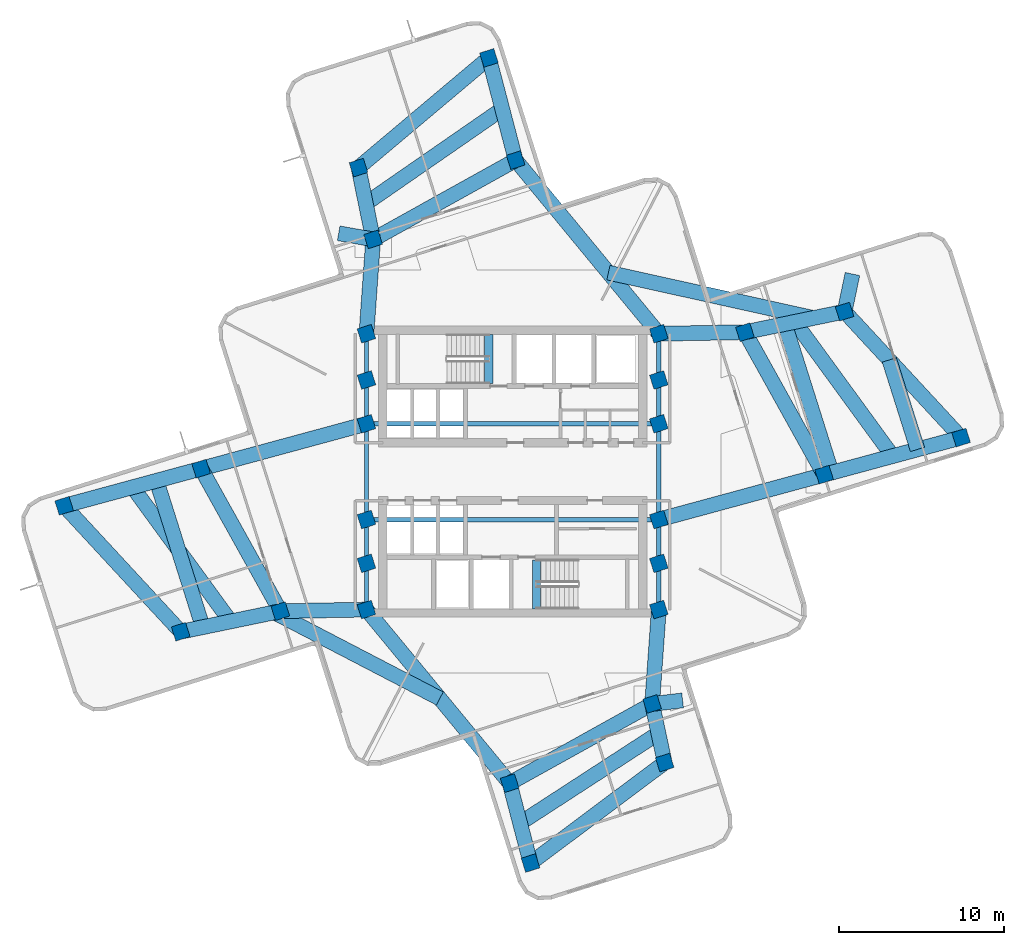
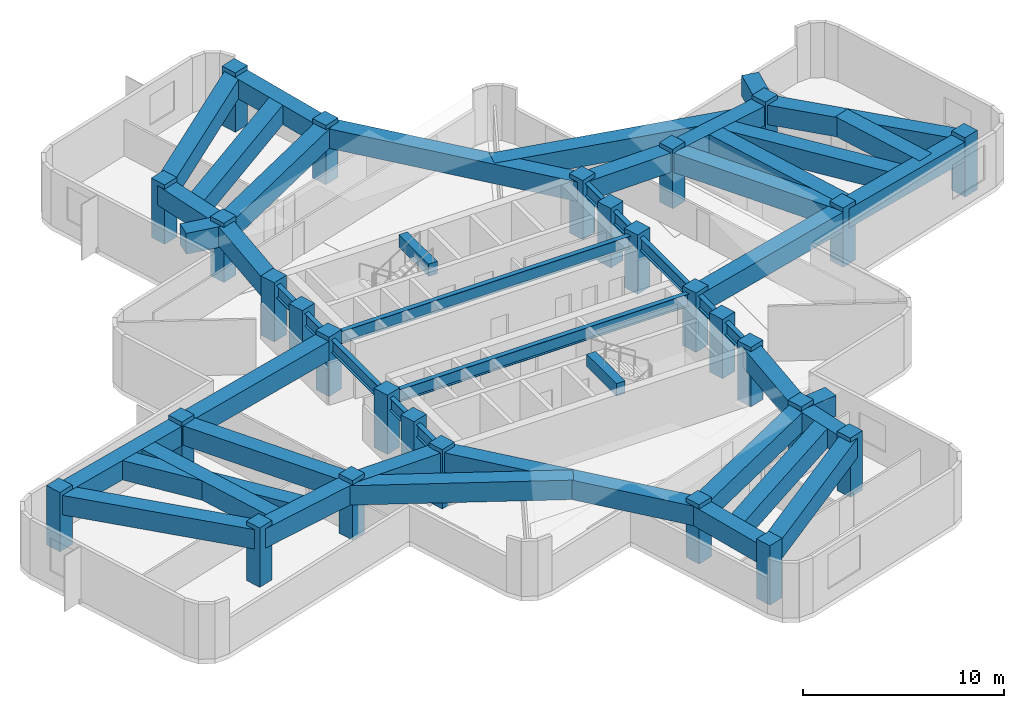
# One storey, part 1 of 8: 50 beams, 28 columns.
"""IFC4 building model written with IfcOpenShell, lengths in metres."""

from ifc_helpers import new_model, si_unit, direction, frame, origin, origin_2d, place, context, subcontext, project, spatial, rectangle, i_section, extrude, material, material_profile, profile_set, type_object, element, save


model = new_model("IFC4")

# Units and contexts
model_context = context("Model", 3, precision=1e-05, world=origin(), true_north=direction((0.0, 1.0)))
body_context = subcontext(model_context, "Body", "Model", "MODEL_VIEW")
ifc_project = project(units=[si_unit("LENGTHUNIT", "METRE"), si_unit("AREAUNIT", "SQUARE_METRE"), si_unit("VOLUMEUNIT", "CUBIC_METRE"), si_unit("PLANEANGLEUNIT", "RADIAN"), si_unit("MASSUNIT", "GRAM", prefix="KILO")], contexts=[model_context])

# Site, building, storey
site_placement = place(None, origin())
site = spatial("IfcSite", under=ifc_project, at=site_placement, CompositionType="ELEMENT")
building_placement = place(site_placement, origin())
building = spatial("IfcBuilding", under=site, at=building_placement, Name="Solmarez Civic Tower", CompositionType="ELEMENT")
storey_placement = place(building_placement, frame((0.0, 0.0, 152.280029296875)))
storey = spatial("IfcBuildingStorey", under=building, at=storey_placement, Name="L40", CompositionType="ELEMENT", Elevation=152.280029296875)

# Columns
ifc_material_1 = material(Name="Concrete C50/60", Category="concrete")
ifc_material_profile_1 = material_profile(ifc_material_1, rectangle(XDim=0.89990234375, YDim=0.89990234375, at=origin_2d()), Name="RC900X900")
ifc_profile_set_1 = profile_set([ifc_material_profile_1], Name="Concrete C50/60")
column_type = type_object("IfcColumnType", Name="COL-RC900", PredefinedType="COLUMN", material=ifc_profile_set_1)
for number, where, z_axis, x_axis, name in (
    (1, (-8.85009765625, -5.550048828125, 0.0), (0.0, 0.0, 1.0), (0.953611926521, 0.301038691196, 0.0), "L40 Structural Column HC1"),
    (2, (-8.85009765625, -2.89990234375, 0.0), (0.0, 0.0, 1.0), (0.953611926521, 0.301038691196, 0.0), "L40 Structural Column HC2"),
    (3, (-8.85009765625, 2.89990234375, 0.0), (0.0, 0.0, 1.0), (0.953611926521, 0.301038691196, 0.0), "L40 Structural Column HC3"),
    (4, (-8.85009765625, 5.550048828125, 0.0), (0.0, 0.0, 1.0), (0.953611926521, 0.301038691196, 0.0), "L40 Structural Column HC4"),
    (5, (8.85009765625, -5.550048828125, 0.0), (0.0, 0.0, 1.0), (0.953611926521, 0.301038691196, 0.0), "L40 Structural Column HC5"),
    (6, (8.85009765625, -2.89990234375, 0.0), (0.0, 0.0, 1.0), (0.953611926521, 0.301038691196, 0.0), "L40 Structural Column HC6"),
    (7, (8.85009765625, 2.89990234375, 0.0), (0.0, 0.0, 1.0), (0.953611926521, 0.301038691196, 0.0), "L40 Structural Column HC7"),
    (8, (8.85009765625, 5.550048828125, 0.0), (0.0, 0.0, 1.0), (0.953611926521, 0.301038691196, 0.0), "L40 Structural Column HC8"),
    (9, (-8.85009765625, 8.35009765625, 0.0), (0.0, 0.0, 1.0), (0.953611926521, 0.301038691196, 0.0), "L40 Structural Column HC9"),
    (10, (8.85009765625, -8.35009765625, 0.0), (0.0, 0.0, 1.0), (0.953611926521, 0.301038691196, 0.0), "L40 Structural Column HC10"),
    (11, (8.85009765625, 8.35009765625, 0.0), (0.0, 0.0, 1.0), (0.953611926521, 0.301038691196, 0.0), "L40 Structural Column HC11"),
    (12, (-8.85009765625, -8.35009765625, 0.0), (0.0, 0.0, 1.0), (0.953611926521, 0.301038691196, 0.0), "L40 Structural Column HC12"),
    (13, (18.860107421875, -0.18310546875, 0.0), (0.0, 0.0, 1.0), (0.953611926521, 0.301038691196, 0.0), "L40 Structural Column EA11"),
    (14, (14.06396484375, 8.445068359375, 0.0), (0.0, 0.0, 1.0), (0.953611926521, 0.301038691196, 0.0), "L40 Structural Column EA12"),
    (15, (27.153076171875, 2.06396484375, 0.0), (0.0, 0.0, 1.0), (0.953611926521, 0.301038691196, 0.0), "L40 Structural Column EA21"),
    (16, (20.097900390625, 9.69189453125, 0.0), (0.0, 0.0, 1.0), (0.953611926521, 0.301038691196, 0.0), "L40 Structural Column EA22"),
    (17, (0.18310546875, 18.860107421875, 0.0), (0.0, 0.0, 1.0), (0.953611926521, 0.301038691196, 0.0), "L40 Structural Column NA11"),
    (18, (-8.445068359375, 14.06396484375, 0.0), (0.0, 0.0, 1.0), (0.953611926521, 0.301038691196, 0.0), "L40 Structural Column NA12"),
    (19, (-1.43701171875, 25.052001953125, 0.0), (0.0, 0.0, 1.0), (0.953611926521, 0.301038691196, 0.0), "L40 Structural Column NA21"),
    (20, (-9.3330078125, 18.408935546875, 0.0), (0.0, 0.0, 1.0), (0.953611926521, 0.301038691196, 0.0), "L40 Structural Column NA22"),
    (21, (-18.860107421875, 0.18310546875, 0.0), (0.0, 0.0, 1.0), (0.953611926521, 0.301038691196, 0.0), "L40 Structural Column WA11"),
    (22, (-14.06396484375, -8.445068359375, 0.0), (0.0, 0.0, 1.0), (0.953611926521, 0.301038691196, 0.0), "L40 Structural Column WA12"),
    (23, (-27.153076171875, -2.06396484375, 0.0), (0.0, 0.0, 1.0), (0.953611926521, 0.301038691196, 0.0), "L40 Structural Column WA21"),
    (24, (-20.097900390625, -9.69189453125, 0.0), (0.0, 0.0, 1.0), (0.953611926521, 0.301038691196, 0.0), "L40 Structural Column WA22"),
    (25, (-0.18310546875, -18.860107421875, 0.0), (0.0, 0.0, 1.0), (0.953611926521, 0.301038691196, 0.0), "L40 Structural Column SA11"),
    (26, (8.445068359375, -14.06396484375, 0.0), (0.0, 0.0, 1.0), (0.953611926521, 0.301038691196, 0.0), "L40 Structural Column SA12"),
    (27, (1.0830078125, -23.697021484375, 0.0), (0.0, 0.0, 1.0), (0.953611926521, 0.301038691196, 0.0), "L40 Structural Column SA21"),
    (28, (9.2080078125, -17.614990234375, 0.0), (0.0, 0.0, 1.0), (0.953611926521, 0.301038691196, 0.0), "L40 Structural Column SA22"),
):
    element("IfcColumn", number, at=place(storey_placement, frame(where, z_axis=z_axis, x_axis=x_axis)), inside=storey, type_object=column_type, Name=name, PredefinedType="COLUMN", context=body_context, shape_type="SweptSolid", body=[
        extrude(rectangle(XDim=0.89990234375, YDim=0.89990234375, at=origin_2d()), origin(), (0.0, 0.0, 1.0), 3.599853515625),
    ])

# Beams
ifc_material_profile_2 = material_profile(ifc_material_1, rectangle(XDim=0.5, YDim=0.75, at=origin_2d()), Name="RC500X750")
ifc_profile_set_2 = profile_set([ifc_material_profile_2], Name="Concrete C50/60")
beam_type_1 = type_object("IfcBeamType", Name="BM-PR-RC500X750", PredefinedType="BEAM", material=ifc_profile_set_2)
for number, where, z_axis, x_axis, name in (
    (29, (-1.449951171875, 5.340087890625, 3.23291015625), (0.0, 1.0, 0.0), (-1.0, 0.0, 0.0), "L40 North Stair Threshold Beam"),
    (30, (1.449951171875, -8.300048828125, 3.23291015625), (0.0, 1.0, 0.0), (-1.0, 0.0, 0.0), "L40 South Stair Threshold Beam"),
):
    element("IfcBeam", number, at=place(storey_placement, frame(where, z_axis=z_axis, x_axis=x_axis)), inside=storey, type_object=beam_type_1, Name=name, PredefinedType="BEAM", context=body_context, shape_type="SweptSolid", body=[
        extrude(rectangle(XDim=0.5, YDim=0.75, at=origin_2d()), origin(), (0.0, 0.0, 1.0), 2.9599609375),
    ])
ifc_material_2 = material(Name="Steel S355", Category="steel")
ifc_material_profile_3 = material_profile(ifc_material_2, i_section(OverallWidth=0.26708984375, OverallDepth=0.761962890625, WebThickness=0.014404296875, FlangeThickness=0.021484375, at=origin_2d()), Name="W30X116")
ifc_profile_set_3 = profile_set([ifc_material_profile_3], Name="Steel S355")
beam_type_2 = type_object("IfcBeamType", Name="BM-PR-W30X116", PredefinedType="BEAM", material=ifc_profile_set_3)
beam_1_placement = place(storey_placement, frame((-8.85009765625, -8.35009765625, 2.958984375), z_axis=(0.0, 1.0, 0.0), x_axis=(-1.0, 0.0, 0.0)))
element("IfcBeam", 31, at=beam_1_placement, inside=storey, type_object=beam_type_2, Name="L40 Primary Floor Beam BM-L40-HC12-HC1", PredefinedType="BEAM", context=body_context, shape_type="SweptSolid", body=[
    extrude(i_section(OverallWidth=0.26708984375, OverallDepth=0.761962890625, WebThickness=0.014404296875, FlangeThickness=0.021484375, at=origin_2d()), origin(), (0.0, 0.0, 1.0), 2.800048828125),
])
beam_2_placement = place(storey_placement, frame((-8.85009765625, -5.550048828125, 2.958984375), z_axis=(0.0, 1.0, 0.0), x_axis=(-1.0, 0.0, 0.0)))
element("IfcBeam", 32, at=beam_2_placement, inside=storey, type_object=beam_type_2, Name="L40 Primary Floor Beam BM-L40-HC1-HC2", PredefinedType="BEAM", context=body_context, shape_type="SweptSolid", body=[
    extrude(i_section(OverallWidth=0.26708984375, OverallDepth=0.761962890625, WebThickness=0.014404296875, FlangeThickness=0.021484375, at=origin_2d()), origin(), (0.0, 0.0, 1.0), 2.650146484375),
])
beam_3_placement = place(storey_placement, frame((-8.85009765625, -2.89990234375, 2.958984375), z_axis=(0.0, 1.0, 0.0), x_axis=(-1.0, 0.0, 0.0)))
element("IfcBeam", 33, at=beam_3_placement, inside=storey, type_object=beam_type_2, Name="L40 Primary Floor Beam BM-L40-HC2-HC3", PredefinedType="BEAM", context=body_context, shape_type="SweptSolid", body=[
    extrude(i_section(OverallWidth=0.26708984375, OverallDepth=0.761962890625, WebThickness=0.014404296875, FlangeThickness=0.021484375, at=origin_2d()), origin(), (0.0, 0.0, 1.0), 5.7998046875),
])
beam_4_placement = place(storey_placement, frame((-8.85009765625, 2.89990234375, 2.958984375), z_axis=(0.0, 1.0, 0.0), x_axis=(-1.0, 0.0, 0.0)))
element("IfcBeam", 34, at=beam_4_placement, inside=storey, type_object=beam_type_2, Name="L40 Primary Floor Beam BM-L40-HC3-HC4", PredefinedType="BEAM", context=body_context, shape_type="SweptSolid", body=[
    extrude(i_section(OverallWidth=0.26708984375, OverallDepth=0.761962890625, WebThickness=0.014404296875, FlangeThickness=0.021484375, at=origin_2d()), origin(), (0.0, 0.0, 1.0), 2.650146484375),
])
for number, where, z_axis, x_axis, name in (
    (35, (-8.85009765625, 5.550048828125, 2.958984375), (0.0, 1.0, 0.0), (-1.0, 0.0, 0.0), "L40 Primary Floor Beam BM-L40-HC4-HC9"),
    (36, (8.85009765625, -8.35009765625, 2.958984375), (0.0, 1.0, 0.0), (-1.0, 0.0, 0.0), "L40 Primary Floor Beam BM-L40-HC10-HC5"),
):
    element("IfcBeam", number, at=place(storey_placement, frame(where, z_axis=z_axis, x_axis=x_axis)), inside=storey, type_object=beam_type_2, Name=name, PredefinedType="BEAM", context=body_context, shape_type="SweptSolid", body=[
        extrude(i_section(OverallWidth=0.26708984375, OverallDepth=0.761962890625, WebThickness=0.014404296875, FlangeThickness=0.021484375, at=origin_2d()), origin(), (0.0, 0.0, 1.0), 2.800048828125),
    ])
beam_5_placement = place(storey_placement, frame((8.85009765625, -5.550048828125, 2.958984375), z_axis=(0.0, 1.0, 0.0), x_axis=(-1.0, 0.0, 0.0)))
element("IfcBeam", 37, at=beam_5_placement, inside=storey, type_object=beam_type_2, Name="L40 Primary Floor Beam BM-L40-HC5-HC6", PredefinedType="BEAM", context=body_context, shape_type="SweptSolid", body=[
    extrude(i_section(OverallWidth=0.26708984375, OverallDepth=0.761962890625, WebThickness=0.014404296875, FlangeThickness=0.021484375, at=origin_2d()), origin(), (0.0, 0.0, 1.0), 2.650146484375),
])
beam_6_placement = place(storey_placement, frame((8.85009765625, -2.89990234375, 2.958984375), z_axis=(0.0, 1.0, 0.0), x_axis=(-1.0, 0.0, 0.0)))
element("IfcBeam", 38, at=beam_6_placement, inside=storey, type_object=beam_type_2, Name="L40 Primary Floor Beam BM-L40-HC6-HC7", PredefinedType="BEAM", context=body_context, shape_type="SweptSolid", body=[
    extrude(i_section(OverallWidth=0.26708984375, OverallDepth=0.761962890625, WebThickness=0.014404296875, FlangeThickness=0.021484375, at=origin_2d()), origin(), (0.0, 0.0, 1.0), 5.7998046875),
])
beam_7_placement = place(storey_placement, frame((8.85009765625, 2.89990234375, 2.958984375), z_axis=(0.0, 1.0, 0.0), x_axis=(-1.0, 0.0, 0.0)))
element("IfcBeam", 39, at=beam_7_placement, inside=storey, type_object=beam_type_2, Name="L40 Primary Floor Beam BM-L40-HC7-HC8", PredefinedType="BEAM", context=body_context, shape_type="SweptSolid", body=[
    extrude(i_section(OverallWidth=0.26708984375, OverallDepth=0.761962890625, WebThickness=0.014404296875, FlangeThickness=0.021484375, at=origin_2d()), origin(), (0.0, 0.0, 1.0), 2.650146484375),
])
beam_8_placement = place(storey_placement, frame((8.85009765625, 5.550048828125, 2.958984375), z_axis=(0.0, 1.0, 0.0), x_axis=(-1.0, 0.0, 0.0)))
element("IfcBeam", 40, at=beam_8_placement, inside=storey, type_object=beam_type_2, Name="L40 Primary Floor Beam BM-L40-HC8-HC11", PredefinedType="BEAM", context=body_context, shape_type="SweptSolid", body=[
    extrude(i_section(OverallWidth=0.26708984375, OverallDepth=0.761962890625, WebThickness=0.014404296875, FlangeThickness=0.021484375, at=origin_2d()), origin(), (0.0, 0.0, 1.0), 2.800048828125),
])
for number, where, z_axis, x_axis, name in (
    (41, (-8.85009765625, -2.89990234375, 2.958984375), (1.0, 0.0, 0.0), (0.0, 1.0, 0.0), "L40 Primary Floor Beam BM-L40-HC2-HC6"),
    (42, (-8.85009765625, 2.89990234375, 2.958984375), (1.0, 0.0, 0.0), (0.0, 1.0, 0.0), "L40 Primary Floor Beam BM-L40-HC3-HC7"),
):
    element("IfcBeam", number, at=place(storey_placement, frame(where, z_axis=z_axis, x_axis=x_axis)), inside=storey, type_object=beam_type_2, Name=name, PredefinedType="BEAM", context=body_context, shape_type="SweptSolid", body=[
        extrude(i_section(OverallWidth=0.26708984375, OverallDepth=0.761962890625, WebThickness=0.014404296875, FlangeThickness=0.021484375, at=origin_2d()), origin(), (0.0, 0.0, 1.0), 17.7001953125),
    ])
ifc_material_3 = material(Name="Concrete C60/75", Category="concrete")
ifc_material_profile_4 = material_profile(ifc_material_3, rectangle(XDim=0.89990234375, YDim=1.179931640625, at=origin_2d()), Name="RC900X1180")
ifc_profile_set_4 = profile_set([ifc_material_profile_4], Name="Concrete C60/75")
beam_type_3 = type_object("IfcBeamType", Name="BM-TG-RC900X1180", PredefinedType="USERDEFINED", material=ifc_profile_set_4)
beam_9_placement = place(storey_placement, frame((8.85009765625, -2.89990234375, 2.75), z_axis=(0.965086289853, 0.261932153691, 0.0), x_axis=(-0.261932153691, 0.965086289853, 0.0)))
element("IfcBeam", 43, at=beam_9_placement, inside=storey, type_object=beam_type_3, Name="L40 Transfer Girder BM-L40-EA-R1A", ObjectType="TRANSFER_GIRDER", PredefinedType="USERDEFINED", context=body_context, shape_type="SweptSolid", body=[
    extrude(rectangle(XDim=0.89990234375, YDim=1.179931640625, at=origin_2d()), origin(), (0.0, 0.0, 1.0), 10.3720703125),
])
beam_10_placement = place(storey_placement, frame((8.85009765625, 8.35009765625, 2.75), z_axis=(0.999834147765, 0.018212000538, 0.0), x_axis=(-0.018212000538, 0.999834147765, 0.0)))
element("IfcBeam", 44, at=beam_10_placement, inside=storey, type_object=beam_type_3, Name="L40 Transfer Girder BM-L40-EA-R1B", ObjectType="TRANSFER_GIRDER", PredefinedType="USERDEFINED", context=body_context, shape_type="SweptSolid", body=[
    extrude(rectangle(XDim=0.89990234375, YDim=1.179931640625, at=origin_2d()), origin(), (0.0, 0.0, 1.0), 5.21484375),
])
beam_11_placement = place(storey_placement, frame((18.860107421875, -0.18310546875, 2.75), z_axis=(-0.485852902718, 0.874040592261, 0.0), x_axis=(-0.874040592261, -0.485852902718, 0.0)))
element("IfcBeam", 45, at=beam_11_placement, inside=storey, type_object=beam_type_3, Name="L40 Transfer Girder BM-L40-EA-T1", ObjectType="TRANSFER_GIRDER", PredefinedType="USERDEFINED", context=body_context, shape_type="SweptSolid", body=[
    extrude(rectangle(XDim=0.89990234375, YDim=1.179931640625, at=origin_2d()), origin(), (0.0, 0.0, 1.0), 9.87158203125),
])
beam_12_placement = place(storey_placement, frame((18.860107421875, -0.18310546875, 2.75), z_axis=(0.965195296066, 0.261530190326, 0.0), x_axis=(-0.261530190326, 0.965195296066, 0.0)))
element("IfcBeam", 46, at=beam_12_placement, inside=storey, type_object=beam_type_3, Name="L40 Transfer Girder BM-L40-EA-R2A", ObjectType="TRANSFER_GIRDER", PredefinedType="USERDEFINED", context=body_context, shape_type="SweptSolid", body=[
    extrude(rectangle(XDim=0.89990234375, YDim=1.179931640625, at=origin_2d()), origin(), (0.0, 0.0, 1.0), 8.592041015625),
])
beam_13_placement = place(storey_placement, frame((14.06396484375, 8.445068359375, 2.75), z_axis=(0.979311082476, 0.202360578523, 0.0), x_axis=(-0.202360578523, 0.979311082476, 0.0)))
element("IfcBeam", 47, at=beam_13_placement, inside=storey, type_object=beam_type_3, Name="L40 Transfer Girder BM-L40-EA-R2B", ObjectType="TRANSFER_GIRDER", PredefinedType="USERDEFINED", context=body_context, shape_type="SweptSolid", body=[
    extrude(rectangle(XDim=0.89990234375, YDim=1.179931640625, at=origin_2d()), origin(), (0.0, 0.0, 1.0), 6.161376953125),
])
beam_14_placement = place(storey_placement, frame((27.153076171875, 2.06396484375, 2.75), z_axis=(-0.679007792344, 0.734131063187, 0.0), x_axis=(-0.734131063187, -0.679007792344, 0.0)))
element("IfcBeam", 48, at=beam_14_placement, inside=storey, type_object=beam_type_3, Name="L40 Transfer Girder BM-L40-EA-T2", ObjectType="TRANSFER_GIRDER", PredefinedType="USERDEFINED", context=body_context, shape_type="SweptSolid", body=[
    extrude(rectangle(XDim=0.89990234375, YDim=1.179931640625, at=origin_2d()), origin(), (0.0, 0.0, 1.0), 10.390380859375),
])
beam_15_placement = place(storey_placement, frame((23.006103515625, 0.94091796875, 2.75), z_axis=(-0.589058914091, 0.808090091345, 0.0), x_axis=(-0.808090091345, -0.589058914091, 0.0)))
element("IfcBeam", 49, at=beam_15_placement, inside=storey, type_object=beam_type_3, Name="L40 Transfer Girder JS-L40-EA-M2", ObjectType="TRANSFER_GIRDER", PredefinedType="USERDEFINED", context=body_context, shape_type="SweptSolid", body=[
    extrude(rectangle(XDim=0.89990234375, YDim=1.179931640625, at=origin_2d()), origin(), (0.0, 0.0, 1.0), 10.05859375),
])
beam_16_placement = place(storey_placement, frame((8.85009765625, 8.35009765625, 2.75), z_axis=(-0.636218453069, 0.77150896299, 0.0), x_axis=(-0.77150896299, -0.636218453069, 0.0)))
element("IfcBeam", 50, at=beam_16_placement, inside=storey, type_object=beam_type_3, Name="L40 Transfer Girder BM-L40-NA-R1A", ObjectType="TRANSFER_GIRDER", PredefinedType="USERDEFINED", context=body_context, shape_type="SweptSolid", body=[
    extrude(rectangle(XDim=0.89990234375, YDim=1.179931640625, at=origin_2d()), origin(), (0.0, 0.0, 1.0), 13.62255859375),
])
beam_17_placement = place(storey_placement, frame((-8.85009765625, 8.35009765625, 2.75), z_axis=(0.070707897353, 0.997497064282, 0.0), x_axis=(-0.997497064282, 0.070707897353, 0.0)))
element("IfcBeam", 51, at=beam_17_placement, inside=storey, type_object=beam_type_3, Name="L40 Transfer Girder BM-L40-NA-R1B", ObjectType="TRANSFER_GIRDER", PredefinedType="USERDEFINED", context=body_context, shape_type="SweptSolid", body=[
    extrude(rectangle(XDim=0.89990234375, YDim=1.179931640625, at=origin_2d()), origin(), (0.0, 0.0, 1.0), 5.728271484375),
])
beam_18_placement = place(storey_placement, frame((0.18310546875, 18.860107421875, 2.75), z_axis=(-0.874040592261, -0.485852902718, 0.0), x_axis=(0.485852902718, -0.874040592261, 0.0)))
element("IfcBeam", 52, at=beam_18_placement, inside=storey, type_object=beam_type_3, Name="L40 Transfer Girder BM-L40-NA-T1", ObjectType="TRANSFER_GIRDER", PredefinedType="USERDEFINED", context=body_context, shape_type="SweptSolid", body=[
    extrude(rectangle(XDim=0.89990234375, YDim=1.179931640625, at=origin_2d()), origin(), (0.0, 0.0, 1.0), 9.87158203125),
])
beam_19_placement = place(storey_placement, frame((0.18310546875, 18.860107421875, 2.75), z_axis=(-0.25312990791, 0.967432297229, 0.0), x_axis=(-0.967432297229, -0.25312990791, 0.0)))
element("IfcBeam", 53, at=beam_19_placement, inside=storey, type_object=beam_type_3, Name="L40 Transfer Girder BM-L40-NA-R2A", ObjectType="TRANSFER_GIRDER", PredefinedType="USERDEFINED", context=body_context, shape_type="SweptSolid", body=[
    extrude(rectangle(XDim=0.89990234375, YDim=1.179931640625, at=origin_2d()), origin(), (0.0, 0.0, 1.0), 6.400390625),
])
beam_20_placement = place(storey_placement, frame((-8.445068359375, 14.06396484375, 2.75), z_axis=(-0.200222099018, 0.979750535118, 0.0), x_axis=(-0.979750535118, -0.200222099018, 0.0)))
element("IfcBeam", 54, at=beam_20_placement, inside=storey, type_object=beam_type_3, Name="L40 Transfer Girder BM-L40-NA-R2B", ObjectType="TRANSFER_GIRDER", PredefinedType="USERDEFINED", context=body_context, shape_type="SweptSolid", body=[
    extrude(rectangle(XDim=0.89990234375, YDim=1.179931640625, at=origin_2d()), origin(), (0.0, 0.0, 1.0), 4.434814453125),
])
beam_21_placement = place(storey_placement, frame((-1.43701171875, 25.052001953125, 2.75), z_axis=(-0.765206846446, -0.643784499777, 0.0), x_axis=(0.643784499777, -0.765206846446, 0.0)))
element("IfcBeam", 55, at=beam_21_placement, inside=storey, type_object=beam_type_3, Name="L40 Transfer Girder BM-L40-NA-T2", ObjectType="TRANSFER_GIRDER", PredefinedType="USERDEFINED", context=body_context, shape_type="SweptSolid", body=[
    extrude(rectangle(XDim=0.89990234375, YDim=1.179931640625, at=origin_2d()), origin(), (0.0, 0.0, 1.0), 10.31884765625),
])
beam_22_placement = place(storey_placement, frame((-0.626953125, 21.9560546875, 2.75), z_axis=(-0.822185194468, -0.56922008573, 0.0), x_axis=(0.56922008573, -0.822185194468, 0.0)))
element("IfcBeam", 56, at=beam_22_placement, inside=storey, type_object=beam_type_3, Name="L40 Transfer Girder JS-L40-NA-M2", ObjectType="TRANSFER_GIRDER", PredefinedType="USERDEFINED", context=body_context, shape_type="SweptSolid", body=[
    extrude(rectangle(XDim=0.89990234375, YDim=1.179931640625, at=origin_2d()), origin(), (0.0, 0.0, 1.0), 10.048828125),
])
beam_23_placement = place(storey_placement, frame((-8.85009765625, 2.89990234375, 2.75), z_axis=(-0.965086289853, -0.261932153691, 0.0), x_axis=(0.261932153691, -0.965086289853, 0.0)))
element("IfcBeam", 57, at=beam_23_placement, inside=storey, type_object=beam_type_3, Name="L40 Transfer Girder BM-L40-WA-R1A", ObjectType="TRANSFER_GIRDER", PredefinedType="USERDEFINED", context=body_context, shape_type="SweptSolid", body=[
    extrude(rectangle(XDim=0.89990234375, YDim=1.179931640625, at=origin_2d()), origin(), (0.0, 0.0, 1.0), 10.3720703125),
])
beam_24_placement = place(storey_placement, frame((-8.85009765625, -8.35009765625, 2.75), z_axis=(-0.999834147765, -0.018212000538, 0.0), x_axis=(0.018212000538, -0.999834147765, 0.0)))
element("IfcBeam", 58, at=beam_24_placement, inside=storey, type_object=beam_type_3, Name="L40 Transfer Girder BM-L40-WA-R1B", ObjectType="TRANSFER_GIRDER", PredefinedType="USERDEFINED", context=body_context, shape_type="SweptSolid", body=[
    extrude(rectangle(XDim=0.89990234375, YDim=1.179931640625, at=origin_2d()), origin(), (0.0, 0.0, 1.0), 5.21484375),
])
beam_25_placement = place(storey_placement, frame((-18.860107421875, 0.18310546875, 2.75), z_axis=(0.485852902718, -0.874040592261, 0.0), x_axis=(0.874040592261, 0.485852902718, 0.0)))
element("IfcBeam", 59, at=beam_25_placement, inside=storey, type_object=beam_type_3, Name="L40 Transfer Girder BM-L40-WA-T1", ObjectType="TRANSFER_GIRDER", PredefinedType="USERDEFINED", context=body_context, shape_type="SweptSolid", body=[
    extrude(rectangle(XDim=0.89990234375, YDim=1.179931640625, at=origin_2d()), origin(), (0.0, 0.0, 1.0), 9.87158203125),
])
beam_26_placement = place(storey_placement, frame((-18.860107421875, 0.18310546875, 2.75), z_axis=(-0.965195296066, -0.261530190326, 0.0), x_axis=(0.261530190326, -0.965195296066, 0.0)))
element("IfcBeam", 60, at=beam_26_placement, inside=storey, type_object=beam_type_3, Name="L40 Transfer Girder BM-L40-WA-R2A", ObjectType="TRANSFER_GIRDER", PredefinedType="USERDEFINED", context=body_context, shape_type="SweptSolid", body=[
    extrude(rectangle(XDim=0.89990234375, YDim=1.179931640625, at=origin_2d()), origin(), (0.0, 0.0, 1.0), 8.592041015625),
])
beam_27_placement = place(storey_placement, frame((-14.06396484375, -8.445068359375, 2.75), z_axis=(-0.979311082476, -0.202360578523, 0.0), x_axis=(0.202360578523, -0.979311082476, 0.0)))
element("IfcBeam", 61, at=beam_27_placement, inside=storey, type_object=beam_type_3, Name="L40 Transfer Girder BM-L40-WA-R2B", ObjectType="TRANSFER_GIRDER", PredefinedType="USERDEFINED", context=body_context, shape_type="SweptSolid", body=[
    extrude(rectangle(XDim=0.89990234375, YDim=1.179931640625, at=origin_2d()), origin(), (0.0, 0.0, 1.0), 6.161376953125),
])
beam_28_placement = place(storey_placement, frame((-27.153076171875, -2.06396484375, 2.75), z_axis=(0.679007792344, -0.734131063187, 0.0), x_axis=(0.734131063187, 0.679007792344, 0.0)))
element("IfcBeam", 62, at=beam_28_placement, inside=storey, type_object=beam_type_3, Name="L40 Transfer Girder BM-L40-WA-T2", ObjectType="TRANSFER_GIRDER", PredefinedType="USERDEFINED", context=body_context, shape_type="SweptSolid", body=[
    extrude(rectangle(XDim=0.89990234375, YDim=1.179931640625, at=origin_2d()), origin(), (0.0, 0.0, 1.0), 10.390380859375),
])
beam_29_placement = place(storey_placement, frame((-23.006103515625, -0.94091796875, 2.75), z_axis=(0.589058914091, -0.808090091345, 0.0), x_axis=(0.808090091345, 0.589058914091, 0.0)))
element("IfcBeam", 63, at=beam_29_placement, inside=storey, type_object=beam_type_3, Name="L40 Transfer Girder JS-L40-WA-M2", ObjectType="TRANSFER_GIRDER", PredefinedType="USERDEFINED", context=body_context, shape_type="SweptSolid", body=[
    extrude(rectangle(XDim=0.89990234375, YDim=1.179931640625, at=origin_2d()), origin(), (0.0, 0.0, 1.0), 10.05859375),
])
beam_30_placement = place(storey_placement, frame((-8.85009765625, -8.35009765625, 2.75), z_axis=(0.636218453069, -0.77150896299, 0.0), x_axis=(0.77150896299, 0.636218453069, 0.0)))
element("IfcBeam", 64, at=beam_30_placement, inside=storey, type_object=beam_type_3, Name="L40 Transfer Girder BM-L40-SA-R1A", ObjectType="TRANSFER_GIRDER", PredefinedType="USERDEFINED", context=body_context, shape_type="SweptSolid", body=[
    extrude(rectangle(XDim=0.89990234375, YDim=1.179931640625, at=origin_2d()), origin(), (0.0, 0.0, 1.0), 13.62255859375),
])
beam_31_placement = place(storey_placement, frame((8.85009765625, -8.35009765625, 2.75), z_axis=(-0.070707897353, -0.997497064282, 0.0), x_axis=(0.997497064282, -0.070707897353, 0.0)))
element("IfcBeam", 65, at=beam_31_placement, inside=storey, type_object=beam_type_3, Name="L40 Transfer Girder BM-L40-SA-R1B", ObjectType="TRANSFER_GIRDER", PredefinedType="USERDEFINED", context=body_context, shape_type="SweptSolid", body=[
    extrude(rectangle(XDim=0.89990234375, YDim=1.179931640625, at=origin_2d()), origin(), (0.0, 0.0, 1.0), 5.728271484375),
])
beam_32_placement = place(storey_placement, frame((-0.18310546875, -18.860107421875, 2.75), z_axis=(0.874040592261, 0.485852902718, 0.0), x_axis=(-0.485852902718, 0.874040592261, 0.0)))
element("IfcBeam", 66, at=beam_32_placement, inside=storey, type_object=beam_type_3, Name="L40 Transfer Girder BM-L40-SA-T1", ObjectType="TRANSFER_GIRDER", PredefinedType="USERDEFINED", context=body_context, shape_type="SweptSolid", body=[
    extrude(rectangle(XDim=0.89990234375, YDim=1.179931640625, at=origin_2d()), origin(), (0.0, 0.0, 1.0), 9.87158203125),
])
beam_33_placement = place(storey_placement, frame((-0.18310546875, -18.860107421875, 2.75), z_axis=(0.253228832632, -0.967406408043, 0.0), x_axis=(0.967406408043, 0.253228832632, 0.0)))
element("IfcBeam", 67, at=beam_33_placement, inside=storey, type_object=beam_type_3, Name="L40 Transfer Girder BM-L40-SA-R2A", ObjectType="TRANSFER_GIRDER", PredefinedType="USERDEFINED", context=body_context, shape_type="SweptSolid", body=[
    extrude(rectangle(XDim=0.89990234375, YDim=1.179931640625, at=origin_2d()), origin(), (0.0, 0.0, 1.0), 5.0),
])
beam_34_placement = place(storey_placement, frame((8.445068359375, -14.06396484375, 2.75), z_axis=(0.210056967216, -0.977689148208, 0.0), x_axis=(0.977689148208, 0.210056967216, 0.0)))
element("IfcBeam", 68, at=beam_34_placement, inside=storey, type_object=beam_type_3, Name="L40 Transfer Girder BM-L40-SA-R2B", ObjectType="TRANSFER_GIRDER", PredefinedType="USERDEFINED", context=body_context, shape_type="SweptSolid", body=[
    extrude(rectangle(XDim=0.89990234375, YDim=1.179931640625, at=origin_2d()), origin(), (0.0, 0.0, 1.0), 3.632080078125),
])
beam_35_placement = place(storey_placement, frame((1.0830078125, -23.697021484375, 2.75), z_axis=(0.800553888314, 0.599260771205, 0.0), x_axis=(-0.599260771205, 0.800553888314, 0.0)))
element("IfcBeam", 69, at=beam_35_placement, inside=storey, type_object=beam_type_3, Name="L40 Transfer Girder BM-L40-SA-T2", ObjectType="TRANSFER_GIRDER", PredefinedType="USERDEFINED", context=body_context, shape_type="SweptSolid", body=[
    extrude(rectangle(XDim=0.89990234375, YDim=1.179931640625, at=origin_2d()), origin(), (0.0, 0.0, 1.0), 10.149169921875),
])
beam_36_placement = place(storey_placement, frame((0.449951171875, -21.279052734375, 2.75), z_axis=(0.83864684805, 0.54467555871, 0.0), x_axis=(-0.54467555871, 0.83864684805, 0.0)))
element("IfcBeam", 70, at=beam_36_placement, inside=storey, type_object=beam_type_3, Name="L40 Transfer Girder JS-L40-SA-M2", ObjectType="TRANSFER_GIRDER", PredefinedType="USERDEFINED", context=body_context, shape_type="SweptSolid", body=[
    extrude(rectangle(XDim=0.89990234375, YDim=1.179931640625, at=origin_2d()), origin(), (0.0, 0.0, 1.0), 9.987548828125),
])
beam_37_placement = place(storey_placement, frame((19.320068359375, -0.05810546875, 2.75), z_axis=(-0.301058341396, 0.953605723072, 0.0), x_axis=(-0.953605723072, -0.301058341396, 0.0)))
element("IfcBeam", 71, at=beam_37_placement, inside=storey, type_object=beam_type_3, Name="L40 Transfer Girder TG-L40-EA11", ObjectType="TRANSFER_GIRDER", PredefinedType="USERDEFINED", context=body_context, shape_type="SweptSolid", body=[
    extrude(rectangle(XDim=0.89990234375, YDim=1.179931640625, at=origin_2d()), origin(), (0.0, 0.0, 1.0), 9.440185546875),
])
beam_38_placement = place(storey_placement, frame((5.798095703125, 12.051025390625, 2.75), z_axis=(0.976374601631, -0.216084791899, 0.0), x_axis=(0.216084791899, 0.976374601631, 0.0)))
element("IfcBeam", 72, at=beam_38_placement, inside=storey, type_object=beam_type_3, Name="L40 Transfer Girder TG-L40-EA12", ObjectType="TRANSFER_GIRDER", PredefinedType="USERDEFINED", context=body_context, shape_type="SweptSolid", body=[
    extrude(rectangle(XDim=0.89990234375, YDim=1.179931640625, at=origin_2d()), origin(), (0.0, 0.0, 1.0), 12.717529296875),
])
beam_39_placement = place(storey_placement, frame((24.513916015625, 1.34912109375, 2.75), z_axis=(-0.300868056309, 0.953665776199, 0.0), x_axis=(-0.953665776199, -0.300868056309, 0.0)))
element("IfcBeam", 73, at=beam_39_placement, inside=storey, type_object=beam_type_3, Name="L40 Transfer Girder TG-L40-EA21", ObjectType="TRANSFER_GIRDER", PredefinedType="USERDEFINED", context=body_context, shape_type="SweptSolid", body=[
    extrude(rectangle(XDim=0.89990234375, YDim=1.179931640625, at=origin_2d()), origin(), (0.0, 0.0, 1.0), 5.68017578125),
])
beam_40_placement = place(storey_placement, frame((-4.409912109375, -13.73388671875, 2.75), z_axis=(-0.887163718565, 0.461454804355, 0.0), x_axis=(-0.461454804355, -0.887163718565, 0.0)))
element("IfcBeam", 74, at=beam_40_placement, inside=storey, type_object=beam_type_3, Name="L40 Transfer Girder TG-L40-WA12", ObjectType="TRANSFER_GIRDER", PredefinedType="USERDEFINED", context=body_context, shape_type="SweptSolid", body=[
    extrude(rectangle(XDim=0.89990234375, YDim=1.179931640625, at=origin_2d()), origin(), (0.0, 0.0, 1.0), 11.296630859375),
])
beam_41_placement = place(storey_placement, frame((-21.55810546875, -0.548095703125, 2.75), z_axis=(0.301032093813, -0.953614009175, 0.0), x_axis=(0.953614009175, 0.301032093813, 0.0)))
element("IfcBeam", 75, at=beam_41_placement, inside=storey, type_object=beam_type_3, Name="L40 Transfer Girder TG-L40-WA21", ObjectType="TRANSFER_GIRDER", PredefinedType="USERDEFINED", context=body_context, shape_type="SweptSolid", body=[
    extrude(rectangle(XDim=0.89990234375, YDim=1.179931640625, at=origin_2d()), origin(), (0.0, 0.0, 1.0), 9.29833984375),
])
ifc_material_profile_5 = material_profile(ifc_material_3, rectangle(XDim=0.89990234375, YDim=1.260009765625, at=origin_2d()), Name="RC900X1280")
ifc_profile_set_5 = profile_set([ifc_material_profile_5], Name="Concrete C60/75")
beam_type_4 = type_object("IfcBeamType", Name="BM-TG-RC900X1280", PredefinedType="USERDEFINED", material=ifc_profile_set_5)
beam_42_placement = place(storey_placement, frame((20.097900390625, 9.69189453125, 2.7099609375), z_axis=(0.205618818147, 0.978632158486, 0.0), x_axis=(-0.978632158486, 0.205618818147, 0.0)))
element("IfcBeam", 76, at=beam_42_placement, inside=storey, type_object=beam_type_4, Name="L40 Transfer Girder TG-L40-EA22", ObjectType="TRANSFER_GIRDER", PredefinedType="USERDEFINED", context=body_context, shape_type="SweptSolid", body=[
    extrude(rectangle(XDim=0.89990234375, YDim=1.260009765625, at=origin_2d()), origin(), (0.0, 0.0, 1.0), 2.32470703125),
])
beam_43_placement = place(storey_placement, frame((-8.445068359375, 14.06396484375, 2.7099609375), z_axis=(-0.984727867364, 0.174100623884, 0.0), x_axis=(-0.174100623884, -0.984727867364, 0.0)))
element("IfcBeam", 77, at=beam_43_placement, inside=storey, type_object=beam_type_4, Name="L40 Transfer Girder TG-L40-NA12", ObjectType="TRANSFER_GIRDER", PredefinedType="USERDEFINED", context=body_context, shape_type="SweptSolid", body=[
    extrude(rectangle(XDim=0.89990234375, YDim=1.260009765625, at=origin_2d()), origin(), (0.0, 0.0, 1.0), 2.120361328125),
])
beam_44_placement = place(storey_placement, frame((8.445068359375, -14.06396484375, 2.7099609375), z_axis=(0.993348351105, 0.115147962891, 0.0), x_axis=(-0.115147962891, 0.993348351105, 0.0)))
element("IfcBeam", 78, at=beam_44_placement, inside=storey, type_object=beam_type_4, Name="L40 Transfer Girder TG-L40-SA12", ObjectType="TRANSFER_GIRDER", PredefinedType="USERDEFINED", context=body_context, shape_type="SweptSolid", body=[
    extrude(rectangle(XDim=0.89990234375, YDim=1.260009765625, at=origin_2d()), origin(), (0.0, 0.0, 1.0), 1.857421875),
])

save(model, "model.ifc")
